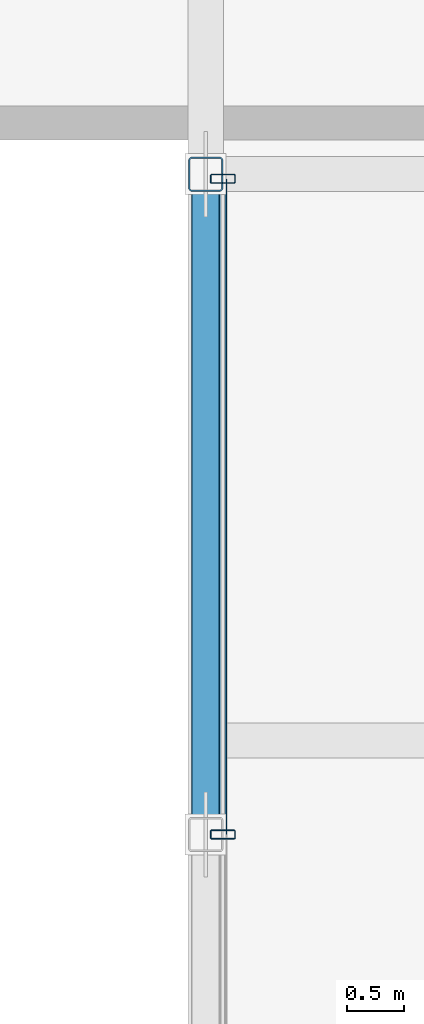
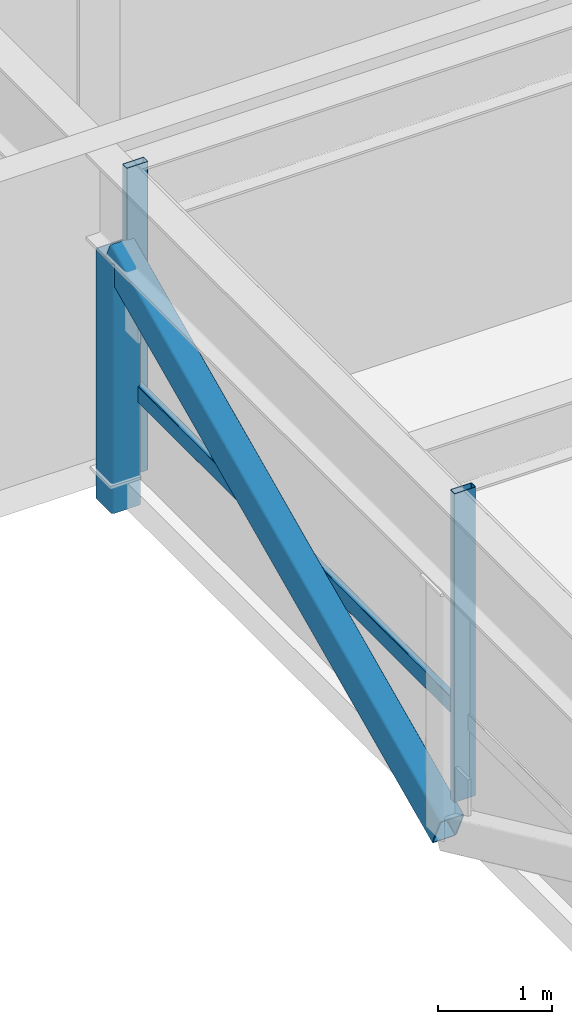
# One storey, part 6 of 36: 5 members, 1 element without a shape of its own.
"""IFC4 building model written with IfcOpenShell, lengths in metres."""

from ifc_helpers import new_model, si_unit, direction, frame, origin, origin_2d, place, context, subcontext, project, spatial, hollow_rectangle, extrude, material, layer, layer_set, material_profile, profile_set, type_object, element, aggregate, save


model = new_model("IFC4")

# Units and contexts
model_context = context("Model", 3, precision=1e-05, world=origin(), true_north=direction((0.0, 1.0)))
body_context = subcontext(model_context, "Body", "Model", "MODEL_VIEW")
ifc_project = project(units=[si_unit("LENGTHUNIT", "METRE"), si_unit("AREAUNIT", "SQUARE_METRE"), si_unit("VOLUMEUNIT", "CUBIC_METRE"), si_unit("PLANEANGLEUNIT", "RADIAN"), si_unit("MASSUNIT", "GRAM", prefix="KILO")], contexts=[model_context])

# Site, building, storey
site_placement = place(None, origin())
site = spatial("IfcSite", under=ifc_project, at=site_placement, CompositionType="ELEMENT")
building_placement = place(site_placement, origin())
building = spatial("IfcBuilding", under=site, at=building_placement, Name="Korimba Cascade Residences", CompositionType="ELEMENT")
storey_placement = place(building_placement, frame((0.0, 0.0, 146.5)))
storey = spatial("IfcBuildingStorey", under=building, at=storey_placement, Name="L42", CompositionType="ELEMENT", Elevation=146.5)

# Curtain wall, members
ifc_material_1 = material(Name="Anodised Aluminium Curtain Wall Framing", Category="aluminium")
ifc_layer = layer(ifc_material_1, 0.179931640625)
ifc_layer_set = layer_set([ifc_layer], Name="Anodised Aluminium Curtain Wall Framing")
curtain_wall_type = type_object("IfcCurtainWallType", Name="CW-BRG-SYS3", PredefinedType="NOTDEFINED", material=ifc_layer_set)
curtain_wall_placement = place(storey_placement, origin())
curtain_wall = element("IfcCurtainWall", 1, at=curtain_wall_placement, inside=storey, type_object=curtain_wall_type, Name="L42 Curtain Wall CW-L42-BRG-W", PredefinedType="NOTDEFINED")
ifc_material_2 = material(Name="Anodised Aluminium Mullion", Category="aluminium")
ifc_material_profile_1 = material_profile(ifc_material_2, hollow_rectangle(XDim=0.080078125, YDim=0.219970703125, WallThickness=0.00634765625, InnerFilletRadius=0.00634765625, OuterFilletRadius=0.0126953125, at=origin_2d()), Name="Anodised Aluminium Mullion")
ifc_profile_set_1 = profile_set([ifc_material_profile_1], Name="Anodised Aluminium Mullion")
member_type_1 = type_object("IfcMemberType", Name="CWM-MUL-220", PredefinedType="MULLION", material=ifc_profile_set_1)
member_1_placement = place(storey_placement, frame((82.25, 44.699951171875, 0.0), z_axis=(0.0, 0.0, 1.0), x_axis=(0.0, 1.0, 0.0)))
member_1 = element("IfcMember", 2, at=member_1_placement, type_object=member_type_1, Name="CW-L42-BRG-W Mullion 3", PredefinedType="MULLION", context=body_context, shape_type="SweptSolid", body=[
    extrude(hollow_rectangle(XDim=0.080078125, YDim=0.219970703125, WallThickness=0.00634765625, InnerFilletRadius=0.00634765625, OuterFilletRadius=0.0126953125, at=origin_2d()), origin(), (0.0, 0.0, 1.0), 3.31005859375),
])
member_2_placement = place(storey_placement, frame((82.25, 50.4599609375, 0.0), z_axis=(0.0, 0.0, 1.0), x_axis=(0.0, 1.0, 0.0)))
member_2 = element("IfcMember", 3, at=member_2_placement, type_object=member_type_1, Name="CW-L42-BRG-W Mullion 4", PredefinedType="MULLION", context=body_context, shape_type="SweptSolid", body=[
    extrude(hollow_rectangle(XDim=0.080078125, YDim=0.219970703125, WallThickness=0.00634765625, InnerFilletRadius=0.00634765625, OuterFilletRadius=0.0126953125, at=origin_2d()), origin(), (0.0, 0.0, 1.0), 3.31005859375),
])
ifc_material_3 = material(Name="Anodised Aluminium Transom", Category="aluminium")
ifc_material_profile_2 = material_profile(ifc_material_3, hollow_rectangle(XDim=0.070068359375, YDim=0.179931640625, WallThickness=0.0048828125, InnerFilletRadius=0.0048828125, OuterFilletRadius=0.010009765625, at=origin_2d()), Name="Anodised Aluminium Transom")
ifc_profile_set_2 = profile_set([ifc_material_profile_2], Name="Anodised Aluminium Transom")
member_type_2 = type_object("IfcMemberType", Name="CWM-TRN-150", PredefinedType="USERDEFINED", material=ifc_profile_set_2)
member_3_placement = place(storey_placement, frame((82.25, 44.699951171875, 0.89990234375), z_axis=(0.0, 1.0, 0.0), x_axis=(-1.0, 0.0, 0.0)))
member_3 = element("IfcMember", 4, at=member_3_placement, type_object=member_type_2, Name="CW-L42-BRG-W Transom 3", ObjectType="TRANSOM", PredefinedType="USERDEFINED", context=body_context, shape_type="SweptSolid", body=[
    extrude(hollow_rectangle(XDim=0.070068359375, YDim=0.179931640625, WallThickness=0.0048828125, InnerFilletRadius=0.0048828125, OuterFilletRadius=0.010009765625, at=origin_2d()), origin(), (0.0, 0.0, 1.0), 5.760009765625),
])
aggregate(curtain_wall, [member_1, member_2, member_3])

# Members
ifc_material_4 = material(Name="Steel S460", Category="steel")
ifc_material_profile_3 = material_profile(ifc_material_4, hollow_rectangle(XDim=0.25, YDim=0.35009765625, WallThickness=0.012451171875, InnerFilletRadius=0.012451171875, OuterFilletRadius=0.02490234375, at=origin_2d()), Name="Steel S460")
ifc_profile_set_3 = profile_set([ifc_material_profile_3], Name="Steel S460")
member_type_3 = type_object("IfcMemberType", Name="MEM-BRG-SHS350", PredefinedType="BRACE", material=ifc_profile_set_3)
member_4_placement = place(storey_placement, frame((82.10009765625, 44.699951171875, -0.2900390625), z_axis=(0.0, 0.9081740859, 0.418592677552), x_axis=(-1.0, 0.0, 0.0)))
element("IfcMember", 5, at=member_4_placement, inside=storey, type_object=member_type_3, Name="L42 Mid-Bridge Warren Diagonal W3", PredefinedType="BRACE", context=body_context, shape_type="SweptSolid", body=[
    extrude(hollow_rectangle(XDim=0.25, YDim=0.35009765625, WallThickness=0.012451171875, InnerFilletRadius=0.012451171875, OuterFilletRadius=0.02490234375, at=origin_2d()), origin(), (0.0, 0.0, 1.0), 6.386474609375),
])
ifc_material_profile_4 = material_profile(ifc_material_4, hollow_rectangle(XDim=0.300048828125, YDim=0.300048828125, WallThickness=0.012451171875, InnerFilletRadius=0.012451171875, OuterFilletRadius=0.02490234375, at=origin_2d()), Name="Steel S460")
ifc_profile_set_4 = profile_set([ifc_material_profile_4], Name="Steel S460")
member_type_4 = type_object("IfcMemberType", Name="MEM-BRG-STR300", PredefinedType="STRUT", material=ifc_profile_set_4)
member_5_placement = place(storey_placement, frame((82.10009765625, 50.5, -0.2900390625), z_axis=(0.0, 0.0, 1.0), x_axis=(1.0, 0.0, 0.0)))
element("IfcMember", 6, at=member_5_placement, inside=storey, type_object=member_type_4, Name="L42 Mid-Bridge Warren Web Post W4", PredefinedType="STRUT", context=body_context, shape_type="SweptSolid", body=[
    extrude(hollow_rectangle(XDim=0.300048828125, YDim=0.300048828125, WallThickness=0.012451171875, InnerFilletRadius=0.012451171875, OuterFilletRadius=0.02490234375, at=origin_2d()), origin(), (0.0, 0.0, 1.0), 2.67333984375),
])

save(model, "model.ifc")
